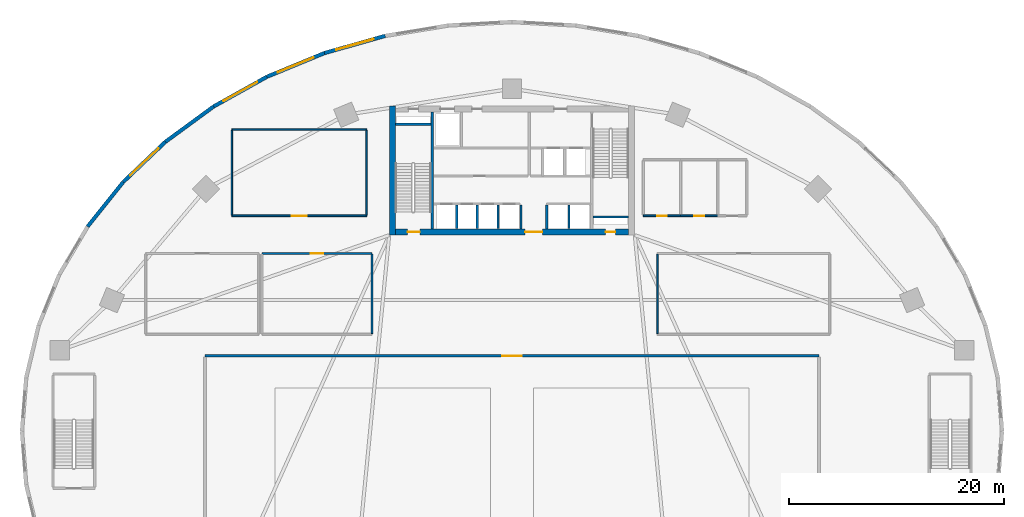
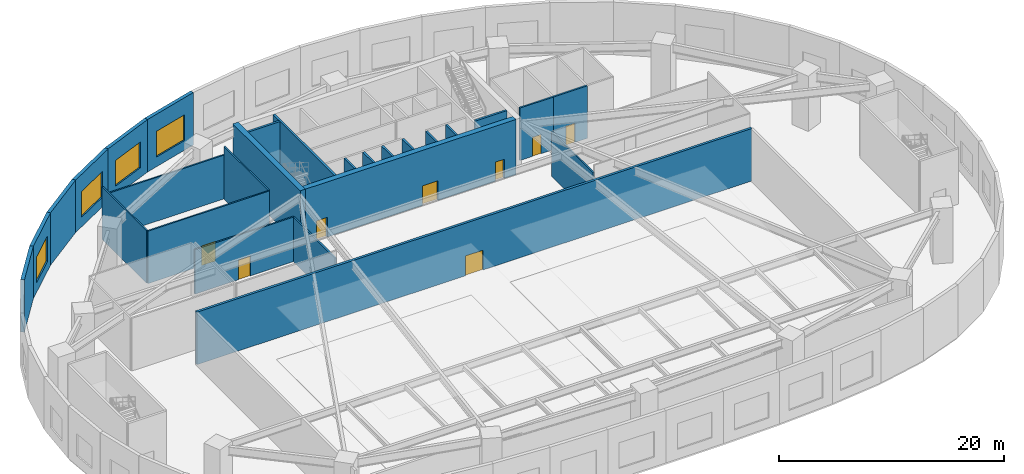
# One storey, part 3 of 10: 27 walls, 8 doors, 4 windows, 12 openings.
"""IFC4 building model written with IfcOpenShell, lengths in metres."""

from ifc_helpers import new_model, si_unit, direction, frame, frame_2d, origin, place, context, subcontext, project, spatial, rectangle, extrude, source, transform, mapped, material, layer, layer_set, type_object, type_shapes, element, fill, save


model = new_model("IFC4")

# Units and contexts
model_context = context("Model", 3, precision=1e-05, world=origin(), true_north=direction((0.0, 1.0)))
body_context = subcontext(model_context, "Body", "Model", "MODEL_VIEW")
ifc_project = project(units=[si_unit("LENGTHUNIT", "METRE"), si_unit("AREAUNIT", "SQUARE_METRE"), si_unit("VOLUMEUNIT", "CUBIC_METRE"), si_unit("PLANEANGLEUNIT", "RADIAN"), si_unit("MASSUNIT", "GRAM", prefix="KILO")], contexts=[model_context])

# Site, building, storey
site_placement = place(None, origin())
site = spatial("IfcSite", under=ifc_project, at=site_placement, CompositionType="ELEMENT")
building_placement = place(site_placement, origin())
building = spatial("IfcBuilding", under=site, at=building_placement, Name="Breltana Convention Tower", CompositionType="ELEMENT")
storey_placement = place(building_placement, frame((0.0, 0.0, 12.0)))
storey = spatial("IfcBuildingStorey", under=building, at=storey_placement, Name="L02", CompositionType="ELEMENT", Elevation=12.0)

# Wall
ifc_material_1 = material(Name="Concrete C60/75", Category="concrete")
ifc_layer_1 = layer(ifc_material_1, 0.550048828125, Name="Concrete C60/75")
ifc_layer_set_1 = layer_set([ifc_layer_1], Name="Concrete C60/75")
wall_type_1 = type_object("IfcWallType", Name="SW-CORE-550", PredefinedType="SHEAR", material=ifc_layer_set_1)
shared_shape_1 = source(origin(), body_context, "Body", "SweptSolid", [
    extrude(rectangle(XDim=12.0, YDim=0.550048828125, at=frame_2d((6.0, 0.0))), origin(), (0.0, 0.0, 1.0), 6.0),
])
wall_1_placement = place(storey_placement, frame((36.925048828125, 60.199951171875, 0.0), z_axis=(0.0, 0.0, 1.0), x_axis=(0.0, 1.0, 0.0)))
element("IfcWall", 1, at=wall_1_placement, inside=storey, type_object=wall_type_1, Name="L02 West Core Shear Wall", PredefinedType="SHEAR", context=body_context, shape_type="MappedRepresentation", body=[
    mapped(shared_shape_1, transform((0.0, 0.0, 0.0), scale=1.0)),
])

# Wall, openings, doors
shared_shape_2 = source(origin(), body_context, "Body", "SweptSolid", [
    extrude(rectangle(XDim=21.60009765625, YDim=0.550048828125, at=frame_2d((10.800048828125, 0.0))), origin(), (0.0, 0.0, 1.0), 6.0),
])
wall_2_placement = place(storey_placement, frame((37.199951171875, 60.47509765625, 0.0), z_axis=(0.0, 0.0, 1.0), x_axis=(1.0, 0.0, 0.0)))
wall_2 = element("IfcWall", 2, at=wall_2_placement, inside=storey, type_object=wall_type_1, Name="L02 South Core Shear Wall", PredefinedType="SHEAR", context=body_context, shape_type="MappedRepresentation", body=[
    mapped(shared_shape_2, transform((0.0, 0.0, 0.0), scale=1.0)),
])
opening_1_placement = place(wall_2_placement, frame((1.10009765625, 0.0, 0.0)))
opening_1 = element("IfcOpeningElement", 3, at=opening_1_placement, cuts=wall_2, Name="Opening D-11", PredefinedType="OPENING", context=body_context, shape_type="SweptSolid", body=[
    extrude(rectangle(XDim=1.14990234375, YDim=2.14990234375, at=frame_2d((0.574951171875, 1.074951171875))), frame((0.0, 0.28515625, 0.0), z_axis=(0.0, -1.0, 0.0), x_axis=(1.0, 0.0, 0.0)), (0.0, 0.0, 1.0), 0.570068359375),
])
opening_2_placement = place(wall_2_placement, frame((19.5, 0.0, 0.0)))
opening_2 = element("IfcOpeningElement", 4, at=opening_2_placement, cuts=wall_2, Name="Opening D-18", PredefinedType="OPENING", context=body_context, shape_type="SweptSolid", body=[
    extrude(rectangle(XDim=0.89990234375, YDim=2.10009765625, at=frame_2d((0.449951171875, 1.050048828125))), frame((0.0, 0.28515625, 0.0), z_axis=(0.0, -1.0, 0.0), x_axis=(1.0, 0.0, 0.0)), (0.0, 0.0, 1.0), 0.570068359375),
])
opening_3_placement = place(wall_2_placement, frame((12.02001953125, 0.0, 0.0)))
opening_3 = element("IfcOpeningElement", 5, at=opening_3_placement, cuts=wall_2, Name="Opening D-02", PredefinedType="OPENING", context=body_context, shape_type="SweptSolid", body=[
    extrude(rectangle(XDim=1.60009765625, YDim=2.14990234375, at=frame_2d((0.800048828125, 1.074951171875))), frame((0.0, 0.28515625, 0.0), z_axis=(0.0, -1.0, 0.0), x_axis=(1.0, 0.0, 0.0)), (0.0, 0.0, 1.0), 0.570068359375),
])
ifc_material_2 = material(Name="Steel Stair Exit Door", Category="steel")
door_type_1 = type_object("IfcDoorType", Name="DR-FD120-1150", OperationType="NOTDEFINED", PredefinedType="DOOR", material=ifc_material_2)
shared_shape_3 = source(origin(), body_context, "Body", "SweptSolid", [
    extrude(rectangle(XDim=1.14990234375, YDim=2.14990234375, at=frame_2d((0.574951171875, 1.074951171875))), frame((0.0, 0.02490234375, 0.0), z_axis=(0.0, -1.0, 0.0), x_axis=(1.0, 0.0, 0.0)), (0.0, 0.0, 1.0), 0.050048828125),
])
type_shapes(door_type_1, [shared_shape_3])
door_1_placement = place(opening_1_placement, origin())
door_1 = element("IfcDoor", 6, at=door_1_placement, inside=storey, type_object=door_type_1, Name="L02 interior door D-L02-ST1", OperationType="SINGLE_SWING_LEFT", OverallHeight=2.14990234375, OverallWidth=1.14990234375, PredefinedType="DOOR", context=body_context, shape_type="MappedRepresentation", body=[
    mapped(shared_shape_3, transform((0.0, 0.0, 0.0), scale=1.0)),
])
fill(opening_1, door_1)
ifc_material_3 = material(Name="Steel Riser Fire Door", Category="steel")
door_type_2 = type_object("IfcDoorType", Name="DR-FD60-900", OperationType="NOTDEFINED", PredefinedType="DOOR", material=ifc_material_3)
shared_shape_4 = source(origin(), body_context, "Body", "SweptSolid", [
    extrude(rectangle(XDim=0.89990234375, YDim=2.10009765625, at=frame_2d((0.449951171875, 1.050048828125))), frame((0.0, 0.02490234375, 0.0), z_axis=(0.0, -1.0, 0.0), x_axis=(1.0, 0.0, 0.0)), (0.0, 0.0, 1.0), 0.050048828125),
])
type_shapes(door_type_2, [shared_shape_4])
door_2_placement = place(opening_2_placement, origin())
door_2 = element("IfcDoor", 7, at=door_2_placement, inside=storey, type_object=door_type_2, Name="L02 Core Riser Access Door D-L02-RS2", OperationType="SINGLE_SWING_RIGHT", OverallHeight=2.10009765625, OverallWidth=0.89990234375, PredefinedType="DOOR", context=body_context, shape_type="MappedRepresentation", body=[
    mapped(shared_shape_4, transform((0.0, 0.0, 0.0), scale=1.0)),
])
fill(opening_2, door_2)
ifc_material_4 = material(Name="Steel Glazed Smoke-Control Door", Category="steel")
door_type_3 = type_object("IfcDoorType", Name="DR-DBL-FD90-1600", OperationType="DOUBLE_DOOR_SINGLE_SWING", PredefinedType="DOOR", material=ifc_material_4)
shared_shape_5 = source(origin(), body_context, "Body", "SweptSolid", [
    extrude(rectangle(XDim=1.60009765625, YDim=2.14990234375, at=frame_2d((0.800048828125, 1.074951171875))), frame((0.0, 0.02490234375, 0.0), z_axis=(0.0, -1.0, 0.0), x_axis=(1.0, 0.0, 0.0)), (0.0, 0.0, 1.0), 0.050048828125),
])
type_shapes(door_type_3, [shared_shape_5])
door_3_placement = place(opening_3_placement, origin())
door_3 = element("IfcDoor", 8, at=door_3_placement, inside=storey, type_object=door_type_3, Name="L02 interior door D-L02-LLB-S", OperationType="DOUBLE_DOOR_SINGLE_SWING", OverallHeight=2.14990234375, OverallWidth=1.60009765625, PredefinedType="DOOR", context=body_context, shape_type="MappedRepresentation", body=[
    mapped(shared_shape_5, transform((0.0, 0.0, 0.0), scale=1.0)),
])
fill(opening_3, door_3)

# Walls
ifc_material_5 = material(Name="Concrete C50/60", Category="concrete")
ifc_layer_2 = layer(ifc_material_5, 0.39990234375, Name="Concrete C50/60")
ifc_layer_set_2 = layer_set([ifc_layer_2], Name="Concrete C50/60")
wall_type_2 = type_object("IfcWallType", Name="SW-CORE-400", PredefinedType="SHEAR", material=ifc_layer_set_2)
shared_shape_6 = source(origin(), body_context, "Body", "SweptSolid", [
    extrude(rectangle(XDim=3.27001953125, YDim=0.219970703125, at=frame_2d((1.635009765625, 0.0))), origin(), (0.0, 0.0, 1.0), 6.0),
])
for number, where, z_axis, x_axis, name in (
    (9, (37.199951171875, 70.510009765625, 0.0), (0.0, 0.0, 1.0), (1.0, 0.0, 0.0), "L02 ST-1 Stairwell North Bearing Wall"),
    (10, (55.530029296875, 61.889892578125, 0.0), (0.0, 0.0, 1.0), (1.0, 0.0, 0.0), "L02 ST-2 Stairwell South Bearing Wall"),
):
    element("IfcWall", number, at=place(storey_placement, frame(where, z_axis=z_axis, x_axis=x_axis)), inside=storey, type_object=wall_type_2, Name=name, PredefinedType="SHEAR", context=body_context, shape_type="MappedRepresentation", body=[
        mapped(shared_shape_6, transform((0.0, 0.0, 0.0), scale=1.0)),
    ])
shared_shape_7 = source(origin(), body_context, "Body", "SweptSolid", [
    extrude(rectangle(XDim=10.89990234375, YDim=0.219970703125, at=frame_2d((5.449951171875, 0.0))), origin(), (0.0, 0.0, 1.0), 6.0),
])
wall_3_placement = place(storey_placement, frame((40.580078125, 60.75, 0.0), z_axis=(0.0, 0.0, 1.0), x_axis=(0.0, 1.0, 0.0)))
element("IfcWall", 11, at=wall_3_placement, inside=storey, type_object=wall_type_2, Name="L02 Core West Stair Spine Wall", PredefinedType="SHEAR", context=body_context, shape_type="MappedRepresentation", body=[
    mapped(shared_shape_7, transform((0.0, 0.0, 0.0), scale=1.0)),
])
ifc_material_6 = material(Name="Limestone Buff Insulated Wall", Category="masonry")
ifc_layer_3 = layer(ifc_material_6, 0.35009765625, Name="Limestone Buff Insulated Wall")
ifc_layer_set_3 = layer_set([ifc_layer_3], Name="Limestone Buff Insulated Wall")
wall_type_3 = type_object("IfcWallType", Name="WL-EXT-POD-350", PredefinedType="SOLIDWALL", material=ifc_layer_set_3)
shared_shape_8 = source(origin(), body_context, "Body", "SweptSolid", [
    extrude(rectangle(XDim=5.292724609375, YDim=0.35009765625, at=frame_2d((2.646484375, 0.0))), origin(), (0.0, 0.0, 1.0), 5.699951171875),
])
wall_4_placement = place(storey_placement, frame((11.90234375, 65.1328125, 0.0), z_axis=(0.0, 0.0, 1.0), x_axis=(-0.624740048177, -0.780832806818, 0.0)))
element("IfcWall", 12, at=wall_4_placement, inside=storey, type_object=wall_type_3, Name="L02 limestone facade wall 20", PredefinedType="SOLIDWALL", context=body_context, shape_type="MappedRepresentation", body=[
    mapped(shared_shape_8, transform((0.0, 0.0, 0.0), scale=1.0)),
])

# Wall, opening, window
shared_shape_9 = source(origin(), body_context, "Body", "SweptSolid", [
    extrude(rectangle(XDim=5.419189453125, YDim=0.35009765625, at=frame_2d((2.70947265625, 0.0))), origin(), (0.0, 0.0, 1.0), 5.699951171875),
])
wall_5_placement = place(storey_placement, frame((15.82666015625, 68.8701171875, 0.0), z_axis=(0.0, 0.0, 1.0), x_axis=(-0.724150787336, -0.689641673046, 0.0)))
wall_5 = element("IfcWall", 13, at=wall_5_placement, inside=storey, type_object=wall_type_3, Name="L02 limestone facade wall 19", PredefinedType="SOLIDWALL", context=body_context, shape_type="MappedRepresentation", body=[
    mapped(shared_shape_9, transform((0.0, 0.0, 0.0), scale=1.0)),
])
opening_4_placement = place(wall_5_placement, frame((0.909423828125, 0.0, 1.050048828125)))
opening_4 = element("IfcOpeningElement", 14, at=opening_4_placement, cuts=wall_5, Name="Opening W-01", PredefinedType="OPENING", context=body_context, shape_type="SweptSolid", body=[
    extrude(rectangle(XDim=3.60009765625, YDim=2.800048828125, at=frame_2d((1.800048828125, 1.39990234375))), frame((0.0, 0.18505859375, 0.0), z_axis=(0.0, -1.0, 0.0), x_axis=(1.0, 0.0, 0.0)), (0.0, 0.0, 1.0), 0.3701171875),
])
ifc_material_7 = material(Name="Glass Low-E Insulated Window", Category="glass")
window_type = type_object("IfcWindowType", Name="WN-POD-3600X2800", PartitioningType="TRIPLE_PANEL_VERTICAL", PredefinedType="WINDOW", material=ifc_material_7)
shared_shape_10 = source(origin(), body_context, "Body", "SweptSolid", [
    extrude(rectangle(XDim=3.60009765625, YDim=2.800048828125, at=frame_2d((1.800048828125, 1.39990234375))), frame((0.0, 0.030029296875, 0.0), z_axis=(0.0, -1.0, 0.0), x_axis=(1.0, 0.0, 0.0)), (0.0, 0.0, 1.0), 0.06005859375),
])
type_shapes(window_type, [shared_shape_10])
window_1_placement = place(opening_4_placement, origin())
window_1 = element("IfcWindow", 15, at=window_1_placement, inside=storey, type_object=window_type, Name="L02 tripartite window 19.1", OverallHeight=2.800048828125, OverallWidth=3.60009765625, PartitioningType="TRIPLE_PANEL_VERTICAL", PredefinedType="WINDOW", context=body_context, shape_type="MappedRepresentation", body=[
    mapped(shared_shape_10, transform((0.0, 0.0, 0.0), scale=1.0)),
])
fill(opening_4, window_1)

# Wall
shared_shape_11 = source(origin(), body_context, "Body", "SweptSolid", [
    extrude(rectangle(XDim=5.546630859375, YDim=0.35009765625, at=frame_2d((2.7734375, 0.0))), origin(), (0.0, 0.0, 1.0), 5.699951171875),
])
wall_6_placement = place(storey_placement, frame((20.301513671875, 72.1474609375, 0.0), z_axis=(0.0, 0.0, 1.0), x_axis=(-0.806767275837, -0.590869327887, 0.0)))
element("IfcWall", 16, at=wall_6_placement, inside=storey, type_object=wall_type_3, Name="L02 limestone facade wall 18", PredefinedType="SOLIDWALL", context=body_context, shape_type="MappedRepresentation", body=[
    mapped(shared_shape_11, transform((0.0, 0.0, 0.0), scale=1.0)),
])

# Wall, opening, window
shared_shape_12 = source(origin(), body_context, "Body", "SweptSolid", [
    extrude(rectangle(XDim=5.666748046875, YDim=0.35009765625, at=frame_2d((2.83349609375, 0.0))), origin(), (0.0, 0.0, 1.0), 5.699951171875),
])
wall_7_placement = place(storey_placement, frame((25.25, 74.908935546875, 0.0), z_axis=(0.0, 0.0, 1.0), x_axis=(-0.873233089296, -0.487302751642, 0.0)))
wall_7 = element("IfcWall", 17, at=wall_7_placement, inside=storey, type_object=wall_type_3, Name="L02 limestone facade wall 17", PredefinedType="SOLIDWALL", context=body_context, shape_type="MappedRepresentation", body=[
    mapped(shared_shape_12, transform((0.0, 0.0, 0.0), scale=1.0)),
])
opening_5_placement = place(wall_7_placement, frame((1.033447265625, 0.0, 1.050048828125)))
opening_5 = element("IfcOpeningElement", 18, at=opening_5_placement, cuts=wall_7, Name="Opening W-01", PredefinedType="OPENING", context=body_context, shape_type="SweptSolid", body=[
    extrude(rectangle(XDim=3.60009765625, YDim=2.800048828125, at=frame_2d((1.800048828125, 1.39990234375))), frame((0.0, 0.18505859375, 0.0), z_axis=(0.0, -1.0, 0.0), x_axis=(1.0, 0.0, 0.0)), (0.0, 0.0, 1.0), 0.3701171875),
])
window_2_placement = place(opening_5_placement, origin())
window_2 = element("IfcWindow", 19, at=window_2_placement, inside=storey, type_object=window_type, Name="L02 tripartite window 17.1", OverallHeight=2.800048828125, OverallWidth=3.60009765625, PartitioningType="TRIPLE_PANEL_VERTICAL", PredefinedType="WINDOW", context=body_context, shape_type="MappedRepresentation", body=[
    mapped(shared_shape_10, transform((0.0, 0.0, 0.0), scale=1.0)),
])
fill(opening_5, window_2)

shared_shape_13 = source(origin(), body_context, "Body", "SweptSolid", [
    extrude(rectangle(XDim=5.77294921875, YDim=0.35009765625, at=frame_2d((2.886474609375, 0.0))), origin(), (0.0, 0.0, 1.0), 5.699951171875),
])
wall_8_placement = place(storey_placement, frame((30.587890625, 77.107421875, 0.0), z_axis=(0.0, 0.0, 1.0), x_axis=(-0.924645688874, -0.380828504771, 0.0)))
wall_8 = element("IfcWall", 20, at=wall_8_placement, inside=storey, type_object=wall_type_3, Name="L02 limestone facade wall 16", PredefinedType="SOLIDWALL", context=body_context, shape_type="MappedRepresentation", body=[
    mapped(shared_shape_13, transform((0.0, 0.0, 0.0), scale=1.0)),
])
opening_6_placement = place(wall_8_placement, frame((1.08642578125, 0.0, 1.050048828125)))
opening_6 = element("IfcOpeningElement", 21, at=opening_6_placement, cuts=wall_8, Name="Opening W-01", PredefinedType="OPENING", context=body_context, shape_type="SweptSolid", body=[
    extrude(rectangle(XDim=3.60009765625, YDim=2.800048828125, at=frame_2d((1.800048828125, 1.39990234375))), frame((0.0, 0.18505859375, 0.0), z_axis=(0.0, -1.0, 0.0), x_axis=(1.0, 0.0, 0.0)), (0.0, 0.0, 1.0), 0.3701171875),
])
window_3_placement = place(opening_6_placement, origin())
window_3 = element("IfcWindow", 22, at=window_3_placement, inside=storey, type_object=window_type, Name="L02 tripartite window 16.1", OverallHeight=2.800048828125, OverallWidth=3.60009765625, PartitioningType="TRIPLE_PANEL_VERTICAL", PredefinedType="WINDOW", context=body_context, shape_type="MappedRepresentation", body=[
    mapped(shared_shape_10, transform((0.0, 0.0, 0.0), scale=1.0)),
])
fill(opening_6, window_3)

shared_shape_14 = source(origin(), body_context, "Body", "SweptSolid", [
    extrude(rectangle(XDim=5.85791015625, YDim=0.35009765625, at=frame_2d((2.928955078125, 0.0))), origin(), (0.0, 0.0, 1.0), 5.699951171875),
])
wall_9_placement = place(storey_placement, frame((36.2236328125, 78.705078125, 0.0), z_axis=(0.0, 0.0, 1.0), x_axis=(-0.962088093248, -0.272738887637, 0.0)))
wall_9 = element("IfcWall", 23, at=wall_9_placement, inside=storey, type_object=wall_type_3, Name="L02 limestone facade wall 15", PredefinedType="SOLIDWALL", context=body_context, shape_type="MappedRepresentation", body=[
    mapped(shared_shape_14, transform((0.0, 0.0, 0.0), scale=1.0)),
])
opening_7_placement = place(wall_9_placement, frame((1.12890625, 0.0, 1.050048828125)))
opening_7 = element("IfcOpeningElement", 24, at=opening_7_placement, cuts=wall_9, Name="Opening W-01", PredefinedType="OPENING", context=body_context, shape_type="SweptSolid", body=[
    extrude(rectangle(XDim=3.60009765625, YDim=2.800048828125, at=frame_2d((1.800048828125, 1.39990234375))), frame((0.0, 0.18505859375, 0.0), z_axis=(0.0, -1.0, 0.0), x_axis=(1.0, 0.0, 0.0)), (0.0, 0.0, 1.0), 0.3701171875),
])
window_4_placement = place(opening_7_placement, origin())
window_4 = element("IfcWindow", 25, at=window_4_placement, inside=storey, type_object=window_type, Name="L02 tripartite window 15.1", OverallHeight=2.800048828125, OverallWidth=3.60009765625, PartitioningType="TRIPLE_PANEL_VERTICAL", PredefinedType="WINDOW", context=body_context, shape_type="MappedRepresentation", body=[
    mapped(shared_shape_10, transform((0.0, 0.0, 0.0), scale=1.0)),
])
fill(opening_7, window_4)

# Walls
ifc_material_8 = material(Name="Autoclaved Aerated Concrete Block", Category="concrete")
ifc_layer_4 = layer(ifc_material_8, 0.199951171875, Name="Autoclaved Aerated Concrete Block")
ifc_layer_set_4 = layer_set([ifc_layer_4], Name="Autoclaved Aerated Concrete Block")
wall_type_4 = type_object("IfcWallType", Name="WL-SHAFT-200", PredefinedType="SOLIDWALL", material=ifc_layer_set_4)
shared_shape_15 = source(origin(), body_context, "Body", "SweptSolid", [
    extrude(rectangle(XDim=2.239990234375, YDim=0.199951171875, at=frame_2d((1.1201171875, 0.0))), origin(), (0.0, 0.0, 1.0), 5.699951171875),
])
for number, where, z_axis, x_axis, name in (
    (26, (48.820068359375, 60.780029296875, 0.0), (0.0, 0.0, 1.0), (0.0, 1.0, 0.0), "L02 interior partition W-L02-PORT-W"),
    (27, (51.219970703125, 60.780029296875, 0.0), (0.0, 0.0, 1.0), (0.0, 1.0, 0.0), "L02 interior partition W-L02-PORT-E"),
):
    element("IfcWall", number, at=place(storey_placement, frame(where, z_axis=z_axis, x_axis=x_axis)), inside=storey, type_object=wall_type_4, Name=name, PredefinedType="SOLIDWALL", context=body_context, shape_type="MappedRepresentation", body=[
        mapped(shared_shape_15, transform((0.0, 0.0, 0.0), scale=1.0)),
    ])
shared_shape_16 = source(origin(), body_context, "Body", "SweptSolid", [
    extrude(rectangle(XDim=2.199951171875, YDim=0.199951171875, at=frame_2d((1.10009765625, 0.0))), origin(), (0.0, 0.0, 1.0), 5.699951171875),
])
for number, where, z_axis, x_axis, name in (
    (28, (42.8701171875, 60.800048828125, 0.0), (0.0, 0.0, 1.0), (0.0, 1.0, 0.0), "L02 interior partition W-L02-SH-S-DIV1"),
    (29, (44.77001953125, 60.800048828125, 0.0), (0.0, 0.0, 1.0), (0.0, 1.0, 0.0), "L02 interior partition W-L02-SH-S-DIV2"),
    (30, (46.699951171875, 60.800048828125, 0.0), (0.0, 0.0, 1.0), (0.0, 1.0, 0.0), "L02 interior partition W-L02-SH-S-DIV3"),
    (31, (53.280029296875, 60.800048828125, 0.0), (0.0, 0.0, 1.0), (0.0, 1.0, 0.0), "L02 interior partition W-L02-SH-X-DIV"),
):
    element("IfcWall", number, at=place(storey_placement, frame(where, z_axis=z_axis, x_axis=x_axis)), inside=storey, type_object=wall_type_4, Name=name, PredefinedType="SOLIDWALL", context=body_context, shape_type="MappedRepresentation", body=[
        mapped(shared_shape_16, transform((0.0, 0.0, 0.0), scale=1.0)),
    ])

# Wall, opening, door
ifc_material_9 = material(Name="Cement Board Wet-Area Partition")
ifc_layer_5 = layer(ifc_material_9, 0.175048828125, Name="Cement Board Wet-Area Partition")
ifc_layer_set_5 = layer_set([ifc_layer_5], Name="Cement Board Wet-Area Partition")
wall_type_5 = type_object("IfcWallType", Name="WL-WET-175", PredefinedType="PARTITIONING", material=ifc_layer_set_5)
shared_shape_17 = source(origin(), body_context, "Body", "SweptSolid", [
    extrude(rectangle(XDim=3.4560546875, YDim=0.175048828125, at=frame_2d((1.72802734375, 0.0))), origin(), (0.0, 0.0, 1.0), 5.699951171875),
])
wall_10_placement = place(storey_placement, frame((60.199951171875, 62.0, 0.0), z_axis=(0.0, 0.0, 1.0), x_axis=(1.0, 0.0, 0.0)))
wall_10 = element("IfcWall", 32, at=wall_10_placement, inside=storey, type_object=wall_type_5, Name="L02 interior partition W-L02-WCM-S", PredefinedType="PARTITIONING", context=body_context, shape_type="MappedRepresentation", body=[
    mapped(shared_shape_17, transform((0.0, 0.0, 0.0), scale=1.0)),
])
opening_8_placement = place(wall_10_placement, frame((1.278076171875, 0.0, 0.0)))
opening_8 = element("IfcOpeningElement", 33, at=opening_8_placement, cuts=wall_10, Name="Opening D-19", PredefinedType="OPENING", context=body_context, shape_type="SweptSolid", body=[
    extrude(rectangle(XDim=0.89990234375, YDim=2.080078125, at=frame_2d((0.449951171875, 1.0400390625))), frame((0.0, 0.09765625, 0.0), z_axis=(0.0, -1.0, 0.0), x_axis=(1.0, 0.0, 0.0)), (0.0, 0.0, 1.0), 0.195068359375),
])
ifc_material_10 = material(Name="Timber Moisture-Resistant Door", Category="wood")
door_type_4 = type_object("IfcDoorType", Name="DR-WC-900", OperationType="NOTDEFINED", PredefinedType="DOOR", material=ifc_material_10)
shared_shape_18 = source(origin(), body_context, "Body", "SweptSolid", [
    extrude(rectangle(XDim=0.89990234375, YDim=2.080078125, at=frame_2d((0.449951171875, 1.0400390625))), frame((0.0, 0.02490234375, 0.0), z_axis=(0.0, -1.0, 0.0), x_axis=(1.0, 0.0, 0.0)), (0.0, 0.0, 1.0), 0.050048828125),
])
type_shapes(door_type_4, [shared_shape_18])
door_4_placement = place(opening_8_placement, origin())
door_4 = element("IfcDoor", 34, at=door_4_placement, inside=storey, type_object=door_type_4, Name="L02 interior door D-L02-WCM", OperationType="SINGLE_SWING_RIGHT", OverallHeight=2.080078125, OverallWidth=0.89990234375, PredefinedType="DOOR", context=body_context, shape_type="MappedRepresentation", body=[
    mapped(shared_shape_18, transform((0.0, 0.0, 0.0), scale=1.0)),
])
fill(opening_8, door_4)

wall_11_placement = place(storey_placement, frame((63.656005859375, 62.0, 0.0), z_axis=(0.0, 0.0, 1.0), x_axis=(1.0, 0.0, 0.0)))
wall_11 = element("IfcWall", 35, at=wall_11_placement, inside=storey, type_object=wall_type_5, Name="L02 interior partition W-L02-WCF-S", PredefinedType="PARTITIONING", context=body_context, shape_type="MappedRepresentation", body=[
    mapped(shared_shape_17, transform((0.0, 0.0, 0.0), scale=1.0)),
])
opening_9_placement = place(wall_11_placement, frame((1.278076171875, 0.0, 0.0)))
opening_9 = element("IfcOpeningElement", 36, at=opening_9_placement, cuts=wall_11, Name="Opening D-19", PredefinedType="OPENING", context=body_context, shape_type="SweptSolid", body=[
    extrude(rectangle(XDim=0.89990234375, YDim=2.080078125, at=frame_2d((0.449951171875, 1.0400390625))), frame((0.0, 0.09765625, 0.0), z_axis=(0.0, -1.0, 0.0), x_axis=(1.0, 0.0, 0.0)), (0.0, 0.0, 1.0), 0.195068359375),
])
door_5_placement = place(opening_9_placement, origin())
door_5 = element("IfcDoor", 37, at=door_5_placement, inside=storey, type_object=door_type_4, Name="L02 interior door D-L02-WCF", OperationType="SINGLE_SWING_LEFT", OverallHeight=2.080078125, OverallWidth=0.89990234375, PredefinedType="DOOR", context=body_context, shape_type="MappedRepresentation", body=[
    mapped(shared_shape_18, transform((0.0, 0.0, 0.0), scale=1.0)),
])
fill(opening_9, door_5)

ifc_material_11 = material(Name="Gypsum Acoustic Double Stud Wall")
ifc_layer_6 = layer(ifc_material_11, 0.25, Name="Gypsum Acoustic Double Stud Wall")
ifc_layer_set_6 = layer_set([ifc_layer_6], Name="Gypsum Acoustic Double Stud Wall")
wall_type_6 = type_object("IfcWallType", Name="WL-ACOUSTIC-250", PredefinedType="PARTITIONING", material=ifc_layer_set_6)
shared_shape_19 = source(origin(), body_context, "Body", "SweptSolid", [
    extrude(rectangle(XDim=57.0, YDim=0.25, at=frame_2d((28.5, 0.0))), origin(), (0.0, 0.0, 1.0), 5.699951171875),
])
wall_12_placement = place(storey_placement, frame((19.5, 49.0, 0.0), z_axis=(0.0, 0.0, 1.0), x_axis=(1.0, 0.0, 0.0)))
wall_12 = element("IfcWall", 38, at=wall_12_placement, inside=storey, type_object=wall_type_6, Name="L02 interior partition W-L02-EXH-N", PredefinedType="PARTITIONING", context=body_context, shape_type="MappedRepresentation", body=[
    mapped(shared_shape_19, transform((0.0, 0.0, 0.0), scale=1.0)),
])
opening_10_placement = place(wall_12_placement, frame((27.60009765625, 0.0, 0.0)))
opening_10 = element("IfcOpeningElement", 39, at=opening_10_placement, cuts=wall_12, Name="Opening D-01", PredefinedType="OPENING", context=body_context, shape_type="SweptSolid", body=[
    extrude(rectangle(XDim=1.800048828125, YDim=2.14990234375, at=frame_2d((0.89990234375, 1.074951171875))), frame((0.0, 0.135009765625, 0.0), z_axis=(0.0, -1.0, 0.0), x_axis=(1.0, 0.0, 0.0)), (0.0, 0.0, 1.0), 0.27001953125),
])
ifc_material_12 = material(Name="Timber Acoustic Veneer Door", Category="wood")
door_type_5 = type_object("IfcDoorType", Name="DR-ASM-1800", OperationType="DOUBLE_DOOR_SINGLE_SWING", PredefinedType="DOOR", material=ifc_material_12)
shared_shape_20 = source(origin(), body_context, "Body", "SweptSolid", [
    extrude(rectangle(XDim=1.800048828125, YDim=2.14990234375, at=frame_2d((0.89990234375, 1.074951171875))), frame((0.0, 0.02490234375, 0.0), z_axis=(0.0, -1.0, 0.0), x_axis=(1.0, 0.0, 0.0)), (0.0, 0.0, 1.0), 0.050048828125),
])
type_shapes(door_type_5, [shared_shape_20])
door_6_placement = place(opening_10_placement, origin())
door_6 = element("IfcDoor", 40, at=door_6_placement, inside=storey, type_object=door_type_5, Name="L02 interior door D-L02-EXH", OperationType="SINGLE_SWING_LEFT", OverallHeight=2.14990234375, OverallWidth=1.800048828125, PredefinedType="DOOR", context=body_context, shape_type="MappedRepresentation", body=[
    mapped(shared_shape_20, transform((0.0, 0.0, 0.0), scale=1.0)),
])
fill(opening_10, door_6)

ifc_material_13 = material(Name="Gypsum Acoustic Drywall Partition")
ifc_layer_7 = layer(ifc_material_13, 0.14990234375, Name="Gypsum Acoustic Drywall Partition")
ifc_layer_set_7 = layer_set([ifc_layer_7], Name="Gypsum Acoustic Drywall Partition")
wall_type_7 = type_object("IfcWallType", Name="WL-PART-150", PredefinedType="PARTITIONING", material=ifc_layer_set_7)
shared_shape_21 = source(origin(), body_context, "Body", "SweptSolid", [
    extrude(rectangle(XDim=10.199951171875, YDim=0.14990234375, at=frame_2d((5.10009765625, 0.0))), origin(), (0.0, 0.0, 1.0), 4.833984375),
])
wall_13_placement = place(storey_placement, frame((24.800048828125, 58.5, 0.0), z_axis=(0.0, 0.0, 1.0), x_axis=(1.0, 0.0, 0.0)))
wall_13 = element("IfcWall", 41, at=wall_13_placement, inside=storey, type_object=wall_type_7, Name="L02 interior partition W-L02-SEM2-N", PredefinedType="PARTITIONING", context=body_context, shape_type="MappedRepresentation", body=[
    mapped(shared_shape_21, transform((0.0, 0.0, 0.0), scale=1.0)),
])
opening_11_placement = place(wall_13_placement, frame((4.5, 0.0, 0.0)))
opening_11 = element("IfcOpeningElement", 42, at=opening_11_placement, cuts=wall_13, Name="Opening D-10", PredefinedType="OPENING", context=body_context, shape_type="SweptSolid", body=[
    extrude(rectangle(XDim=1.199951171875, YDim=2.14990234375, at=frame_2d((0.60009765625, 1.074951171875))), frame((0.0, 0.0849609375, 0.0), z_axis=(0.0, -1.0, 0.0), x_axis=(1.0, 0.0, 0.0)), (0.0, 0.0, 1.0), 0.169921875),
])
ifc_material_14 = material(Name="Timber Oak Veneer Fire Door", Category="wood")
door_type_6 = type_object("IfcDoorType", Name="DR-INT-1200", OperationType="NOTDEFINED", PredefinedType="DOOR", material=ifc_material_14)
shared_shape_22 = source(origin(), body_context, "Body", "SweptSolid", [
    extrude(rectangle(XDim=1.199951171875, YDim=2.14990234375, at=frame_2d((0.60009765625, 1.074951171875))), frame((0.0, 0.02490234375, 0.0), z_axis=(0.0, -1.0, 0.0), x_axis=(1.0, 0.0, 0.0)), (0.0, 0.0, 1.0), 0.050048828125),
])
type_shapes(door_type_6, [shared_shape_22])
door_7_placement = place(opening_11_placement, origin())
door_7 = element("IfcDoor", 43, at=door_7_placement, inside=storey, type_object=door_type_6, Name="L02 interior door D-L02-SEM2", OperationType="SINGLE_SWING_LEFT", OverallHeight=2.14990234375, OverallWidth=1.199951171875, PredefinedType="DOOR", context=body_context, shape_type="MappedRepresentation", body=[
    mapped(shared_shape_22, transform((0.0, 0.0, 0.0), scale=1.0)),
])
fill(opening_11, door_7)

# Walls
ifc_material_15 = material(Name="Aluminium Anodised Acoustic Operable Panel", Category="aluminium")
ifc_layer_8 = layer(ifc_material_15, 0.159912109375, Name="Aluminium Anodised Acoustic Operable Panel")
ifc_layer_set_8 = layer_set([ifc_layer_8], Name="Aluminium Anodised Acoustic Operable Panel")
wall_type_8 = type_object("IfcWallType", Name="WL-MOVABLE-160", PredefinedType="MOVABLE", material=ifc_layer_set_8)
shared_shape_23 = source(origin(), body_context, "Body", "SweptSolid", [
    extrude(rectangle(XDim=7.365234375, YDim=0.159912109375, at=frame_2d((3.6826171875, 0.0))), origin(), (0.0, 0.0, 1.0), 4.833984375),
])
wall_14_placement = place(storey_placement, frame((35.0, 51.0673828125, 0.0), z_axis=(0.0, 0.0, 1.0), x_axis=(0.0, 1.0, 0.0)))
element("IfcWall", 44, at=wall_14_placement, inside=storey, type_object=wall_type_8, Name="L02 interior partition W-L02-SEM2-E", PredefinedType="MOVABLE", context=body_context, shape_type="MappedRepresentation", body=[
    mapped(shared_shape_23, transform((0.0, 0.0, 0.0), scale=1.0)),
])
shared_shape_24 = source(origin(), body_context, "Body", "SweptSolid", [
    extrude(rectangle(XDim=7.365234375, YDim=0.14990234375, at=frame_2d((3.6826171875, 0.0))), origin(), (0.0, 0.0, 1.0), 4.833984375),
])
wall_15_placement = place(storey_placement, frame((61.5, 51.0673828125, 0.0), z_axis=(0.0, 0.0, 1.0), x_axis=(0.0, 1.0, 0.0)))
element("IfcWall", 45, at=wall_15_placement, inside=storey, type_object=wall_type_7, Name="L02 interior partition W-L02-ORG-W", PredefinedType="PARTITIONING", context=body_context, shape_type="MappedRepresentation", body=[
    mapped(shared_shape_24, transform((0.0, 0.0, 0.0), scale=1.0)),
])

# Wall, opening, door
shared_shape_25 = source(origin(), body_context, "Body", "SweptSolid", [
    extrude(rectangle(XDim=12.5, YDim=0.14990234375, at=frame_2d((6.25, 0.0))), origin(), (0.0, 0.0, 1.0), 5.699951171875),
])
wall_16_placement = place(storey_placement, frame((22.0, 62.0, 0.0), z_axis=(0.0, 0.0, 1.0), x_axis=(1.0, 0.0, 0.0)))
wall_16 = element("IfcWall", 46, at=wall_16_placement, inside=storey, type_object=wall_type_7, Name="L02 interior partition W-L02-STR-S", PredefinedType="PARTITIONING", context=body_context, shape_type="MappedRepresentation", body=[
    mapped(shared_shape_25, transform((0.0, 0.0, 0.0), scale=1.0)),
])
opening_12_placement = place(wall_16_placement, frame((5.550048828125, 0.0, 0.0)))
opening_12 = element("IfcOpeningElement", 47, at=opening_12_placement, cuts=wall_16, Name="Opening D-06", PredefinedType="OPENING", context=body_context, shape_type="SweptSolid", body=[
    extrude(rectangle(XDim=1.39990234375, YDim=2.14990234375, at=frame_2d((0.699951171875, 1.074951171875))), frame((0.0, 0.0849609375, 0.0), z_axis=(0.0, -1.0, 0.0), x_axis=(1.0, 0.0, 0.0)), (0.0, 0.0, 1.0), 0.169921875),
])
ifc_material_16 = material(Name="Steel Louvred Fire Plant Door", Category="steel")
door_type_7 = type_object("IfcDoorType", Name="DR-PLT-1400", OperationType="DOUBLE_DOOR_SINGLE_SWING", PredefinedType="DOOR", material=ifc_material_16)
shared_shape_26 = source(origin(), body_context, "Body", "SweptSolid", [
    extrude(rectangle(XDim=1.39990234375, YDim=2.14990234375, at=frame_2d((0.699951171875, 1.074951171875))), frame((0.0, 0.02490234375, 0.0), z_axis=(0.0, -1.0, 0.0), x_axis=(1.0, 0.0, 0.0)), (0.0, 0.0, 1.0), 0.050048828125),
])
type_shapes(door_type_7, [shared_shape_26])
door_8_placement = place(opening_12_placement, origin())
door_8 = element("IfcDoor", 48, at=door_8_placement, inside=storey, type_object=door_type_7, Name="L02 interior door D-L02-STR", OperationType="SINGLE_SWING_LEFT", OverallHeight=2.14990234375, OverallWidth=1.39990234375, PredefinedType="DOOR", context=body_context, shape_type="MappedRepresentation", body=[
    mapped(shared_shape_26, transform((0.0, 0.0, 0.0), scale=1.0)),
])
fill(opening_12, door_8)

# Walls
shared_shape_27 = source(origin(), body_context, "Body", "SweptSolid", [
    extrude(rectangle(XDim=12.5, YDim=0.14990234375, at=frame_2d((6.25, 0.0))), origin(), (0.0, 0.0, 1.0), 4.760986328125),
])
wall_17_placement = place(storey_placement, frame((22.0, 70.0, 0.0), z_axis=(0.0, 0.0, 1.0), x_axis=(1.0, 0.0, 0.0)))
element("IfcWall", 49, at=wall_17_placement, inside=storey, type_object=wall_type_7, Name="L02 interior partition W-L02-STR-N", PredefinedType="PARTITIONING", context=body_context, shape_type="MappedRepresentation", body=[
    mapped(shared_shape_27, transform((0.0, 0.0, 0.0), scale=1.0)),
])
shared_shape_28 = source(origin(), body_context, "Body", "SweptSolid", [
    extrude(rectangle(XDim=7.865234375, YDim=0.14990234375, at=frame_2d((3.9326171875, 0.0))), origin(), (0.0, 0.0, 1.0), 5.699951171875),
])
for number, where, z_axis, x_axis, name in (
    (50, (22.0, 62.0673828125, 0.0), (0.0, 0.0, 1.0), (0.0, 1.0, 0.0), "L02 interior partition W-L02-STR-W"),
    (51, (34.5, 62.0673828125, 0.0), (0.0, 0.0, 1.0), (0.0, 1.0, 0.0), "L02 interior partition W-L02-STR-E"),
):
    element("IfcWall", number, at=place(storey_placement, frame(where, z_axis=z_axis, x_axis=x_axis)), inside=storey, type_object=wall_type_7, Name=name, PredefinedType="PARTITIONING", context=body_context, shape_type="MappedRepresentation", body=[
        mapped(shared_shape_28, transform((0.0, 0.0, 0.0), scale=1.0)),
    ])

save(model, "model.ifc")
